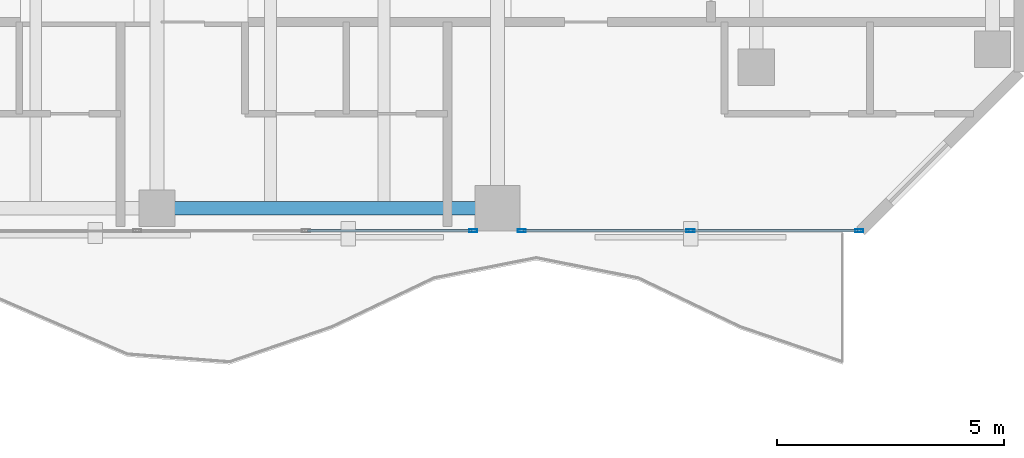
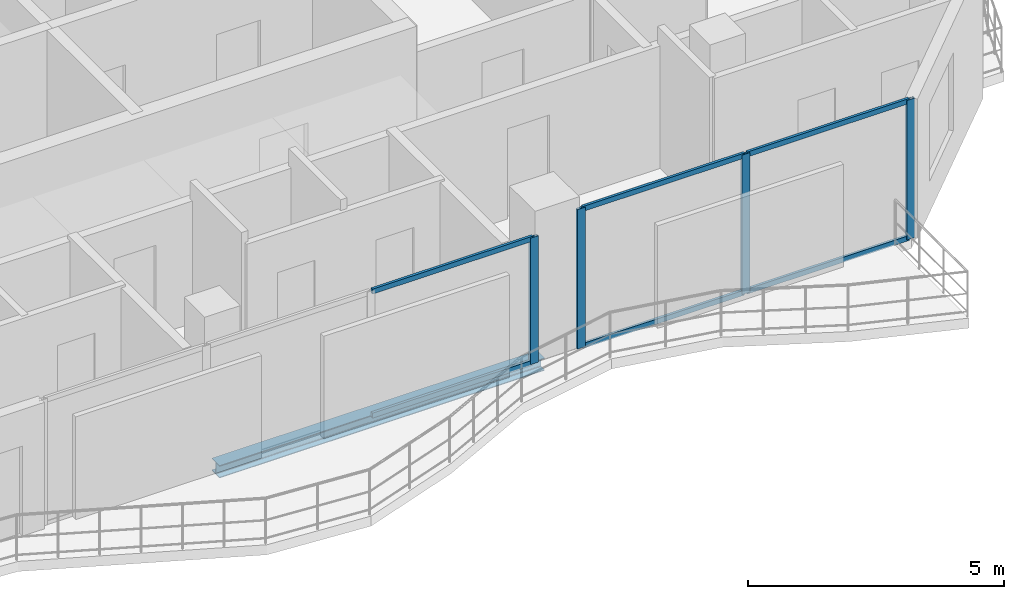
# One storey, part 12 of 23: 10 members, 1 beam, 2 elements without a shape of their own.
"""IFC4 building model written with IfcOpenShell, lengths in metres."""

import ifcopenshell
import ifcopenshell.guid

model = None  # the IFC model being written
_history = None  # IfcOwnerHistory: only IFC2X3 demands one
_inside = {}  # id of a spatial element -> (the spatial element, [elements in it])
_under = {}  # id of a project, library or spatial element -> (it, [spatial elements below it])
_declared = {}  # id of a project -> (the project, [libraries it declares])
_typed = {}  # id of a type object -> (the type object, [elements of that type])
_made_of = {}  # id of a material, layer set ... -> (it, [elements and type objects made of it])


def new_model(schema):
    """Start an empty IFC model of exactly this schema.

    Asked for "IFC4X3", IfcOpenShell would pick the latest addendum, in which some entities
    have other attributes; the version numbers below select the first issue.
    IFC2X3 requires an IfcOwnerHistory on every rooted entity: one is made here for all.
    """
    global model, _history
    if schema == "IFC4X3":
        model = ifcopenshell.file(schema_version=(4, 3, 0, 0))
    else:
        model = ifcopenshell.file(schema=schema)
    _inside.clear()
    _under.clear()
    _declared.clear()
    _typed.clear()
    _made_of.clear()
    _history = None
    if model.schema == "IFC2X3":
        org = make("IfcOrganization", Name="unknown")
        user = make(
            "IfcPersonAndOrganization",
            ThePerson=make("IfcPerson", FamilyName="unknown"),
            TheOrganization=org,
        )
        app = make(
            "IfcApplication",
            ApplicationDeveloper=org,
            Version="unknown",
            ApplicationFullName="unknown",
            ApplicationIdentifier="unknown",
        )
        _history = make(
            "IfcOwnerHistory",
            OwningUser=user,
            OwningApplication=app,
            ChangeAction="ADDED",
            CreationDate=0,
        )
    return model


def make(cls, **values):
    """One entity of the class cls with the attributes given. An attribute that is None is left unset."""
    return model.create_entity(
        cls, **{name: value for name, value in values.items() if value is not None}
    )


def rooted(cls, **values):
    """An entity with a GlobalId (a new one), such as an element, a storey or a relation."""
    return make(cls, GlobalId=ifcopenshell.guid.new(), OwnerHistory=_history, **values)


def si_unit(unit_type, name, prefix=None):
    """IfcSIUnit, for example si_unit("LENGTHUNIT", "METRE", prefix="MILLI")."""
    return make("IfcSIUnit", UnitType=unit_type, Prefix=prefix, Name=name)


def assignment(units):
    """IfcUnitAssignment: the units of a project."""
    return None if units is None else make("IfcUnitAssignment", Units=units)


def point(xyz):
    """IfcCartesianPoint."""
    return None if xyz is None else make("IfcCartesianPoint", Coordinates=xyz)


def direction(xyz):
    """IfcDirection."""
    return None if xyz is None else make("IfcDirection", DirectionRatios=xyz)


def frame(location, z_axis=None, x_axis=None):
    """IfcAxis2Placement3D, a coordinate frame: its origin and axes. An axis left out is left unset."""
    return make(
        "IfcAxis2Placement3D",
        Location=point(location),
        Axis=direction(z_axis),
        RefDirection=direction(x_axis),
    )


def frame_2d(location, x_axis=None):
    """IfcAxis2Placement2D, a coordinate frame in the plane: its origin and x axis."""
    return make(
        "IfcAxis2Placement2D", Location=point(location), RefDirection=direction(x_axis)
    )


def origin():
    """The frame at (0, 0, 0) with its axes left unset."""
    return frame((0.0, 0.0, 0.0))


def origin_2d():
    """The frame at (0, 0) in the plane with its x axis left unset."""
    return frame_2d((0.0, 0.0))


def place(relative_to, where):
    """IfcLocalPlacement: puts the frame where relative to a parent placement (None: the world)."""
    return make(
        "IfcLocalPlacement", PlacementRelTo=relative_to, RelativePlacement=where
    )


def context(
    kind, dimensions, precision=None, world=None, true_north=None, identifier=None
):
    """IfcGeometricRepresentationContext, for example the 3D "Model" context."""
    return make(
        "IfcGeometricRepresentationContext",
        ContextIdentifier=identifier,
        ContextType=kind,
        CoordinateSpaceDimension=dimensions,
        Precision=precision,
        WorldCoordinateSystem=world,
        TrueNorth=true_north,
    )


def subcontext(parent, identifier, kind, view, scale=None):
    """IfcGeometricRepresentationSubContext, for example "Body" below "Model"."""
    return make(
        "IfcGeometricRepresentationSubContext",
        ContextIdentifier=identifier,
        ContextType=kind,
        ParentContext=parent,
        TargetScale=scale,
        TargetView=view,
    )


def project(units=None, contexts=None):
    """IfcProject with its units and contexts."""
    return rooted(
        "IfcProject",
        Name="project",
        RepresentationContexts=contexts,
        UnitsInContext=assignment(units),
    )


def spatial(cls, under=None, at=None, **own):
    """A site, building, storey or space (cls), placed at a placement, below another one or the project."""
    s = rooted(cls, ObjectPlacement=at, **own)
    if under is not None:
        _under.setdefault(under.id(), (under, []))[1].append(s)
    return s


def profile(cls, at=None, kind="AREA", **sizes):
    """A parametric profile (cls). Its sizes go by their IFC names, for example OverallWidth=200.0."""
    return make(cls, ProfileType=kind, Position=at, **sizes)


def hollow_rectangle(**sizes):
    """IfcRectangleHollowProfileDef."""
    return profile("IfcRectangleHollowProfileDef", **sizes)


def i_section(**sizes):
    """IfcIShapeProfileDef."""
    return profile("IfcIShapeProfileDef", **sizes)


def extrude(swept, where, along, depth):
    """IfcExtrudedAreaSolid: the profile swept, set in the frame where, extruded along a direction by depth."""
    return make(
        "IfcExtrudedAreaSolid",
        SweptArea=swept,
        Position=where,
        ExtrudedDirection=direction(along),
        Depth=depth,
    )


def shape(context_of_items, identifier, shape_type, items):
    """IfcShapeRepresentation: the items that make up one representation, for example the "Body"."""
    return make(
        "IfcShapeRepresentation",
        ContextOfItems=context_of_items,
        RepresentationIdentifier=identifier,
        RepresentationType=shape_type,
        Items=items,
    )


def material(Name=None, Category=None):
    """IfcMaterial."""
    return make("IfcMaterial", Name=Name, Category=Category)


def layer(
    of_material, thickness, ventilated=None, Name=None, Category=None, Priority=None
):
    """IfcMaterialLayer: one layer of a wall or slab, of a material (None: an air gap)."""
    return make(
        "IfcMaterialLayer",
        Material=of_material,
        LayerThickness=thickness,
        IsVentilated=ventilated,
        Name=Name,
        Category=Category,
        Priority=Priority,
    )


def layer_set(layers, Name=None):
    """IfcMaterialLayerSet."""
    return make("IfcMaterialLayerSet", MaterialLayers=layers, LayerSetName=Name)


def material_profile(
    of_material, cross_section, Name=None, Category=None, Priority=None
):
    """IfcMaterialProfile: a cross section and its material."""
    return make(
        "IfcMaterialProfile",
        Name=Name,
        Material=of_material,
        Profile=cross_section,
        Priority=Priority,
        Category=Category,
    )


def profile_set(profiles, Name=None, composite=None):
    """IfcMaterialProfileSet."""
    return make(
        "IfcMaterialProfileSet",
        Name=Name,
        MaterialProfiles=profiles,
        CompositeProfile=composite,
    )


def made_of(thing, what):
    """Note that an element or type object is made of a material, layer set ...; save() writes the relation."""
    if what is not None:
        _made_of.setdefault(what.id(), (what, []))[1].append(thing)
    return thing


def type_object(cls, material=None, **own):
    """A type object (cls), such as IfcWallType, which elements share."""
    return made_of(rooted(cls, **own), material)


def element(
    cls,
    number,
    at=None,
    inside=None,
    cuts=None,
    type_object=None,
    material=None,
    context=None,
    identifier="Body",
    shape_type=None,
    held_by="IfcProductDefinitionShape",
    body=None,
    shapes=None,
    **own,
):
    """One element of the class cls, such as IfcWall. Its Tag is "e" and its number.

    at: its placement. inside: the storey or other place that contains it. cuts: it is an
    opening in that element (IfcRelVoidsElement). A single representation is given by context,
    identifier, shape_type and body (its items); several are given by shapes. held_by: the class
    of the entity that holds the representations. save() writes the other relations.
    """
    e = rooted(cls, Tag="e%d" % number, ObjectPlacement=at, **own)
    if body is not None:
        shapes = [shape(context, identifier, shape_type, body)]
    if shapes is not None:
        e.Representation = make(held_by, Representations=shapes)
    if inside is not None:
        _inside.setdefault(inside.id(), (inside, []))[1].append(e)
    if cuts is not None:
        rooted(
            "IfcRelVoidsElement", RelatingBuildingElement=cuts, RelatedOpeningElement=e
        )
    if type_object is not None:
        _typed.setdefault(type_object.id(), (type_object, []))[1].append(e)
    return made_of(e, material)


def aggregate(whole, parts):
    """IfcRelAggregates: a whole, such as a stair, and the parts it consists of."""
    return rooted("IfcRelAggregates", RelatingObject=whole, RelatedObjects=parts)


def save(model, path):
    """Write the relations noted so far, then the file.

    IfcRelAggregates (storeys below a building ...), IfcRelContainedInSpatialStructure (elements
    in a storey), IfcRelDefinesByType, IfcRelAssociatesMaterial and IfcRelDeclares: one each for
    every whole, place, type object, material and project.
    """
    for whole, parts in _under.values():
        aggregate(whole, parts)
    for where, things in _inside.values():
        rooted(
            "IfcRelContainedInSpatialStructure",
            RelatedElements=things,
            RelatingStructure=where,
        )
    for kind, things in _typed.values():
        rooted("IfcRelDefinesByType", RelatedObjects=things, RelatingType=kind)
    for what, things in _made_of.values():
        rooted("IfcRelAssociatesMaterial", RelatedObjects=things, RelatingMaterial=what)
    for by, libraries in _declared.values():
        rooted("IfcRelDeclares", RelatingContext=by, RelatedDefinitions=libraries)
    model.write(path)


model = new_model("IFC4")

# Units and contexts
model_context = context("Model", 3, precision=1e-05, world=origin(), true_north=direction((0.0, 1.0)))
body_context = subcontext(model_context, "Body", "Model", "MODEL_VIEW")
ifc_project = project(units=[si_unit("LENGTHUNIT", "METRE"), si_unit("AREAUNIT", "SQUARE_METRE"), si_unit("VOLUMEUNIT", "CUBIC_METRE"), si_unit("PLANEANGLEUNIT", "RADIAN"), si_unit("MASSUNIT", "GRAM", prefix="KILO")], contexts=[model_context])

# Site, building, storey
site_placement = place(None, origin())
site = spatial("IfcSite", under=ifc_project, at=site_placement, CompositionType="ELEMENT")
building_placement = place(site_placement, origin())
building = spatial("IfcBuilding", under=site, at=building_placement, Name="Catumbela Crestline Tower", CompositionType="ELEMENT")
storey_placement = place(building_placement, frame((0.0, 0.0, 179.4)))
storey = spatial("IfcBuildingStorey", under=building, at=storey_placement, Name="L46", CompositionType="ELEMENT", Elevation=179.4)

# Curtain wall, member
ifc_material_1 = material(Name="Aluminium alloy AW-6060-T66", Category="aluminium")
ifc_layer = layer(ifc_material_1, 0.18, Name="Aluminium alloy AW-6060-T66")
ifc_layer_set = layer_set([ifc_layer], Name="Aluminium alloy AW-6060-T66")
curtain_wall_type = type_object("IfcCurtainWallType", Name="CWU-Z3", PredefinedType="USERDEFINED", material=ifc_layer_set)
curtain_wall_1_placement = place(storey_placement, origin())
curtain_wall_1 = element("IfcCurtainWall", 1, at=curtain_wall_1_placement, inside=storey, type_object=curtain_wall_type, Name="L46 Unitised Curtain Wall CW-L46-E3S2", ObjectType="UNITISED", PredefinedType="USERDEFINED")
ifc_material_profile_1 = material_profile(ifc_material_1, hollow_rectangle(XDim=0.065, YDim=0.18, WallThickness=0.004, at=origin_2d()), Name="ALU 180x65x4")
ifc_profile_set_1 = profile_set([ifc_material_profile_1], Name="Aluminium alloy AW-6060-T66")
member_type_1 = type_object("IfcMemberType", Name="MUL-180X65", PredefinedType="MULLION", material=ifc_profile_set_1)
member_1_placement = place(storey_placement, frame((38.9675, 24.0, 0.0), z_axis=(0.0, 0.0, 1.0), x_axis=(0.0, 1.0, 0.0)))
member_1 = element("IfcMember", 2, at=member_1_placement, type_object=member_type_1, Name="CWU-Z3 mullion 4", PredefinedType="MULLION", context=body_context, shape_type="SweptSolid", body=[
    extrude(hollow_rectangle(XDim=0.065, YDim=0.18, WallThickness=0.004, at=origin_2d()), origin(), (0.0, 0.0, 1.0), 3.02),
])

# Curtain wall, members
curtain_wall_2_placement = place(storey_placement, origin())
curtain_wall_2 = element("IfcCurtainWall", 3, at=curtain_wall_2_placement, inside=storey, type_object=curtain_wall_type, Name="L46 Unitised Curtain Wall CW-L46-E3S3", ObjectType="UNITISED", PredefinedType="USERDEFINED")
member_2_placement = place(storey_placement, frame((40.0325, 24.0, 0.0), z_axis=(0.0, 0.0, 1.0), x_axis=(0.0, 1.0, 0.0)))
member_2 = element("IfcMember", 4, at=member_2_placement, type_object=member_type_1, Name="CWU-Z3 mullion 1", PredefinedType="MULLION", context=body_context, shape_type="SweptSolid", body=[
    extrude(hollow_rectangle(XDim=0.065, YDim=0.18, WallThickness=0.004, at=origin_2d()), origin(), (0.0, 0.0, 1.0), 3.33),
])
member_3_placement = place(storey_placement, frame((43.75, 24.0, 0.0), z_axis=(0.0, 0.0, 1.0), x_axis=(0.0, 1.0, 0.0)))
member_3 = element("IfcMember", 5, at=member_3_placement, type_object=member_type_1, Name="CWU-Z3 mullion 2", PredefinedType="MULLION", context=body_context, shape_type="SweptSolid", body=[
    extrude(hollow_rectangle(XDim=0.065, YDim=0.18, WallThickness=0.004, at=origin_2d()), origin(), (0.0, 0.0, 1.0), 3.33),
])
member_4_placement = place(storey_placement, frame((47.4675, 24.0, 0.0), z_axis=(0.0, 0.0, 1.0), x_axis=(0.0, 1.0, 0.0)))
member_4 = element("IfcMember", 6, at=member_4_placement, type_object=member_type_1, Name="CWU-Z3 mullion 3", PredefinedType="MULLION", context=body_context, shape_type="SweptSolid", body=[
    extrude(hollow_rectangle(XDim=0.065, YDim=0.18, WallThickness=0.004, at=origin_2d()), origin(), (0.0, 0.0, 1.0), 3.33),
])

# Beam
ifc_material_2 = material(Name="Structural steel S355J2", Category="steel")
ifc_material_profile_2 = material_profile(ifc_material_2, i_section(OverallWidth=0.3, OverallDepth=0.3, WebThickness=0.011, FlangeThickness=0.019, FilletRadius=0.027, at=origin_2d()), Name="HEB 300")
ifc_profile_set_2 = profile_set([ifc_material_profile_2], Name="Structural steel S355J2")
beam_type = type_object("IfcBeamType", Name="BS-HEB300", PredefinedType="SPANDREL", material=ifc_profile_set_2)
beam_placement = place(storey_placement, frame((32.08, 24.5, -0.41), z_axis=(1.0, 0.0, 0.0), x_axis=(0.0, 1.0, 0.0)))
element("IfcBeam", 7, at=beam_placement, inside=storey, type_object=beam_type, Name="L46 Spandrel SP-L46-S05", PredefinedType="SPANDREL", context=body_context, shape_type="SweptSolid", body=[
    extrude(i_section(OverallWidth=0.3, OverallDepth=0.3, WebThickness=0.011, FlangeThickness=0.019, FilletRadius=0.027, at=origin_2d()), origin(), (0.0, 0.0, 1.0), 7.34),
])

# Member
ifc_material_profile_3 = material_profile(ifc_material_1, hollow_rectangle(XDim=0.06, YDim=0.12, WallThickness=0.0035, at=origin_2d()), Name="ALU 120x60x3.5")
ifc_profile_set_3 = profile_set([ifc_material_profile_3], Name="Aluminium alloy AW-6060-T66")
member_type_2 = type_object("IfcMemberType", Name="TRN-120X60", PredefinedType="USERDEFINED", material=ifc_profile_set_3)
member_5_placement = place(storey_placement, frame((35.3158, 24.0, 0.03), z_axis=(1.0, 0.0, 0.0), x_axis=(0.0, 1.0, 0.0)))
member_5 = element("IfcMember", 8, at=member_5_placement, type_object=member_type_2, Name="CWU-Z3 transom 3.1", ObjectType="TRANSOM", PredefinedType="USERDEFINED", context=body_context, shape_type="SweptSolid", body=[
    extrude(hollow_rectangle(XDim=0.06, YDim=0.12, WallThickness=0.0035, at=origin_2d()), origin(), (0.0, 0.0, 1.0), 3.6192),
])

member_6_placement = place(storey_placement, frame((35.3158, 24.0, 2.99), z_axis=(1.0, 0.0, 0.0), x_axis=(0.0, 1.0, 0.0)))
member_6 = element("IfcMember", 9, at=member_6_placement, type_object=member_type_2, Name="CWU-Z3 transom 3.2", ObjectType="TRANSOM", PredefinedType="USERDEFINED", context=body_context, shape_type="SweptSolid", body=[
    extrude(hollow_rectangle(XDim=0.06, YDim=0.12, WallThickness=0.0035, at=origin_2d()), origin(), (0.0, 0.0, 1.0), 3.6192),
])

aggregate(curtain_wall_1, [member_1, member_5, member_6])

member_7_placement = place(storey_placement, frame((40.065, 24.0, 0.03), z_axis=(1.0, 0.0, 0.0), x_axis=(0.0, 1.0, 0.0)))
member_7 = element("IfcMember", 10, at=member_7_placement, type_object=member_type_2, Name="CWU-Z3 transom 1.1", ObjectType="TRANSOM", PredefinedType="USERDEFINED", context=body_context, shape_type="SweptSolid", body=[
    extrude(hollow_rectangle(XDim=0.06, YDim=0.12, WallThickness=0.0035, at=origin_2d()), origin(), (0.0, 0.0, 1.0), 3.6525),
])

member_8_placement = place(storey_placement, frame((40.065, 24.0, 3.3), z_axis=(1.0, 0.0, 0.0), x_axis=(0.0, 1.0, 0.0)))
member_8 = element("IfcMember", 11, at=member_8_placement, type_object=member_type_2, Name="CWU-Z3 transom 1.2", ObjectType="TRANSOM", PredefinedType="USERDEFINED", context=body_context, shape_type="SweptSolid", body=[
    extrude(hollow_rectangle(XDim=0.06, YDim=0.12, WallThickness=0.0035, at=origin_2d()), origin(), (0.0, 0.0, 1.0), 3.6525),
])

member_9_placement = place(storey_placement, frame((43.7825, 24.0, 0.03), z_axis=(1.0, 0.0, 0.0), x_axis=(0.0, 1.0, 0.0)))
member_9 = element("IfcMember", 12, at=member_9_placement, type_object=member_type_2, Name="CWU-Z3 transom 2.1", ObjectType="TRANSOM", PredefinedType="USERDEFINED", context=body_context, shape_type="SweptSolid", body=[
    extrude(hollow_rectangle(XDim=0.06, YDim=0.12, WallThickness=0.0035, at=origin_2d()), origin(), (0.0, 0.0, 1.0), 3.6525),
])

member_10_placement = place(storey_placement, frame((43.7825, 24.0, 3.3), z_axis=(1.0, 0.0, 0.0), x_axis=(0.0, 1.0, 0.0)))
member_10 = element("IfcMember", 13, at=member_10_placement, type_object=member_type_2, Name="CWU-Z3 transom 2.2", ObjectType="TRANSOM", PredefinedType="USERDEFINED", context=body_context, shape_type="SweptSolid", body=[
    extrude(hollow_rectangle(XDim=0.06, YDim=0.12, WallThickness=0.0035, at=origin_2d()), origin(), (0.0, 0.0, 1.0), 3.6525),
])

aggregate(curtain_wall_2, [member_2, member_3, member_4, member_7, member_8, member_9, member_10])

save(model, "model.ifc")
